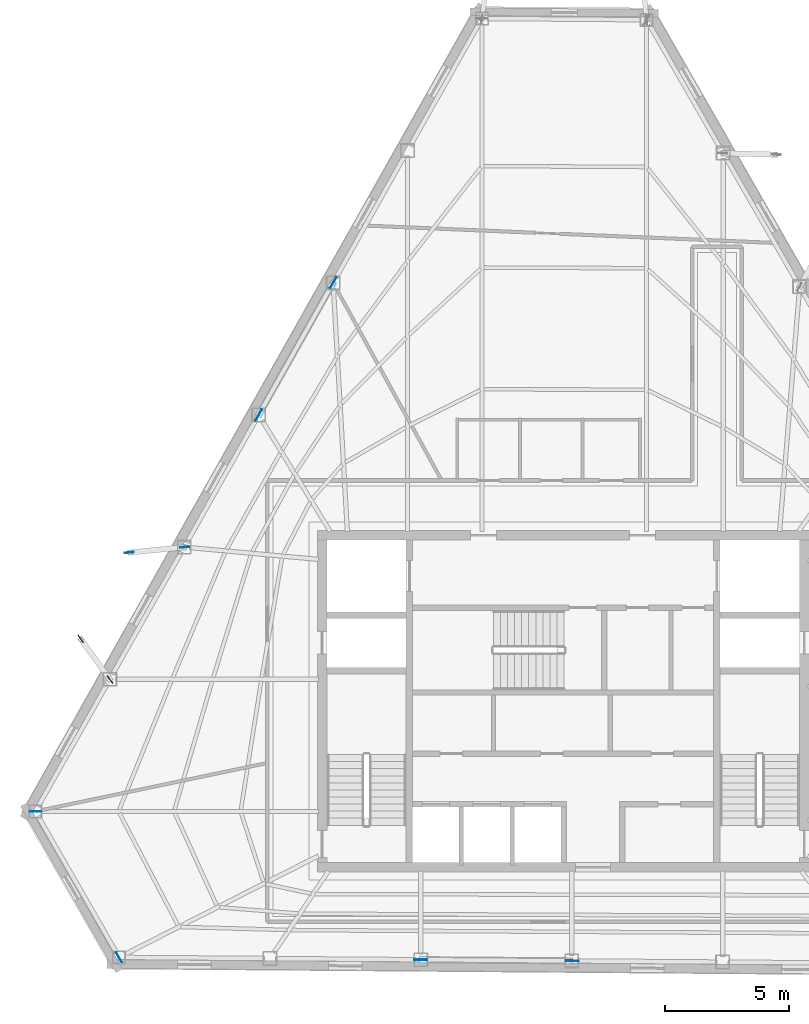
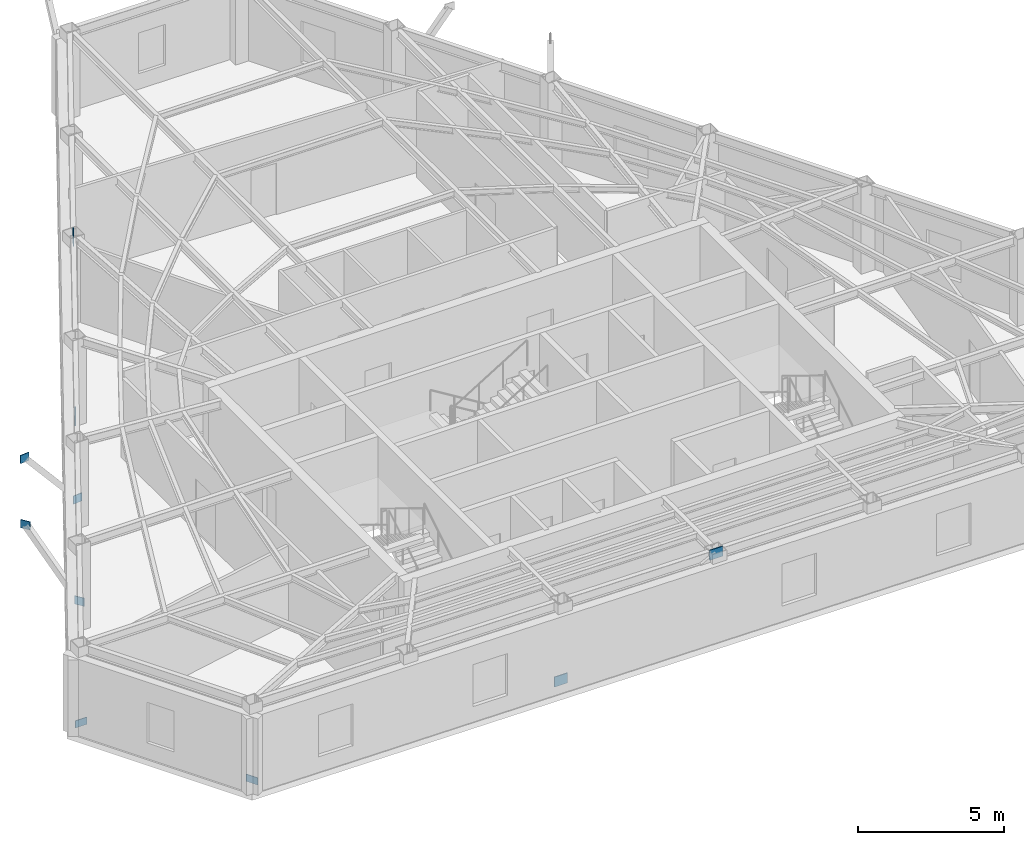
# One storey, part 4 of 10: 10 plates.
"""IFC4 building model written with IfcOpenShell, lengths in metres."""

from ifc_helpers import new_model, si_unit, direction, frame, origin, origin_2d, place, context, subcontext, project, spatial, rectangle, extrude, material, layer, layer_set, type_object, element, save


model = new_model("IFC4")

# Units and contexts
model_context = context("Model", 3, precision=1e-05, world=origin(), true_north=direction((0.0, 1.0)))
body_context = subcontext(model_context, "Body", "Model", "MODEL_VIEW")
ifc_project = project(units=[si_unit("LENGTHUNIT", "METRE"), si_unit("AREAUNIT", "SQUARE_METRE"), si_unit("VOLUMEUNIT", "CUBIC_METRE"), si_unit("PLANEANGLEUNIT", "RADIAN"), si_unit("MASSUNIT", "GRAM", prefix="KILO")], contexts=[model_context])

# Site, building, storey
site_placement = place(None, origin())
site = spatial("IfcSite", under=ifc_project, at=site_placement, CompositionType="ELEMENT")
building_placement = place(site_placement, origin())
building = spatial("IfcBuilding", under=site, at=building_placement, Name="Kavelnor Concourse Tower", CompositionType="ELEMENT")
storey_placement = place(building_placement, frame((0.0, 0.0, 243.35009765625)))
storey = spatial("IfcBuildingStorey", under=building, at=storey_placement, Name="L61", CompositionType="ELEMENT", Elevation=243.35009765625)

# Plates
ifc_material = material(Name="Steel Grade 350", Category="steel")
ifc_layer_1 = layer(ifc_material, 0.028076171875, Name="Steel Grade 350")
ifc_layer_set_1 = layer_set([ifc_layer_1], Name="Steel Grade 350")
plate_type_1 = type_object("IfcPlateType", Name="PL-GUSSET-FOLD", PredefinedType="USERDEFINED", material=ifc_layer_set_1)
for number, where, z_axis, x_axis, name in (
    (1, (16.741943359375, 11.658935546875, 0.10009765625), (0.0, 0.0, 1.0), (1.0, 0.0, 0.0), "L61 Herringbone Corner-Fold Kink Gusset Plate F0-B6"),
    (2, (20.113037109375, 5.781982421875, 0.10009765625), (0.0, 0.0, 1.0), (-0.5, 0.866025403784, 0.0), "L61 Herringbone Corner-Fold Kink Gusset Plate F1-B0"),
):
    element("IfcPlate", number, at=place(storey_placement, frame(where, z_axis=z_axis, x_axis=x_axis)), inside=storey, type_object=plate_type_1, Name=name, ObjectType="GUSSET_PLATE", PredefinedType="USERDEFINED", context=body_context, shape_type="SweptSolid", body=[
        extrude(rectangle(XDim=0.4599609375, YDim=0.028076171875, at=origin_2d()), origin(), (0.0, 0.0, 1.0), 0.300048828125),
    ])
for number, where, z_axis, x_axis, name in (
    (3, (22.7509765625, 22.3076171875, 0.8798828125), (0.0, 0.0, 1.0), (-0.995124665732, -0.098625045759, 0.0), "L61 Balcony Strut Gusset GP4 2-A End Gusset A"),
    (4, (20.5283203125, 22.08740234375, 3.48486328125), (0.0, 0.0, 1.0), (-0.995124665732, -0.098625045759, 0.0), "L61 Balcony Strut Gusset GP4 2-A End Gusset B"),
    (5, (19.74755859375, 16.972900390625, 0.8798828125), (0.0, 0.0, 1.0), (-0.584391303119, 0.811471998801, 0.0), "L61 Balcony Strut Gusset GP4 2-B End Gusset A"),
    (6, (18.56396484375, 18.616455078125, 3.48486328125), (0.0, 0.0, 1.0), (-0.584391303119, 0.811471998801, 0.0), "L61 Balcony Strut Gusset GP4 2-B End Gusset B"),
):
    element("IfcPlate", number, at=place(storey_placement, frame(where, z_axis=z_axis, x_axis=x_axis)), inside=storey, type_object=plate_type_1, Name=name, ObjectType="GUSSET_PLATE", PredefinedType="USERDEFINED", context=body_context, shape_type="SweptSolid", body=[
        extrude(rectangle(XDim=0.360107421875, YDim=0.028076171875, at=origin_2d()), origin(), (0.0, 0.0, 1.0), 0.340087890625),
    ])
ifc_layer_2 = layer(ifc_material, 0.031982421875, Name="Steel Grade 350")
ifc_layer_set_2 = layer_set([ifc_layer_2], Name="Steel Grade 350")
plate_type_2 = type_object("IfcPlateType", Name="PL-GUSSET-TUBE-Z1", PredefinedType="USERDEFINED", material=ifc_layer_set_2)
for number, where, z_axis, x_axis, name in (
    (7, (25.731689453125, 27.619873046875, 0.010009765625), (0.0, 0.0, 1.0), (0.490751690644, 0.871299476719, 0.0), "L61 Tube Brace Gusset GP3 F0-B2 End Gusset A"),
    (8, (28.741943359375, 32.964599609375, 3.197021484375), (0.0, 0.0, 1.0), (0.490751690644, 0.871299476719, 0.0), "L61 Tube Brace Gusset GP3 F0-B2 End Gusset B"),
    (9, (32.25830078125, 5.686767578125, 0.010009765625), (0.0, 0.0, 1.0), (0.999969157645, -0.007853900889, 0.0), "L61 Tube Brace Gusset GP3 F1-B2 End Gusset A"),
    (10, (38.361083984375, 5.638916015625, 3.197021484375), (0.0, 0.0, 1.0), (0.999969157645, -0.007853900889, 0.0), "L61 Tube Brace Gusset GP3 F1-B2 End Gusset B"),
):
    element("IfcPlate", number, at=place(storey_placement, frame(where, z_axis=z_axis, x_axis=x_axis)), inside=storey, type_object=plate_type_2, Name=name, ObjectType="GUSSET_PLATE", PredefinedType="USERDEFINED", context=body_context, shape_type="SweptSolid", body=[
        extrude(rectangle(XDim=0.52001953125, YDim=0.031982421875, at=origin_2d()), origin(), (0.0, 0.0, 1.0), 0.419921875),
    ])

save(model, "model.ifc")
